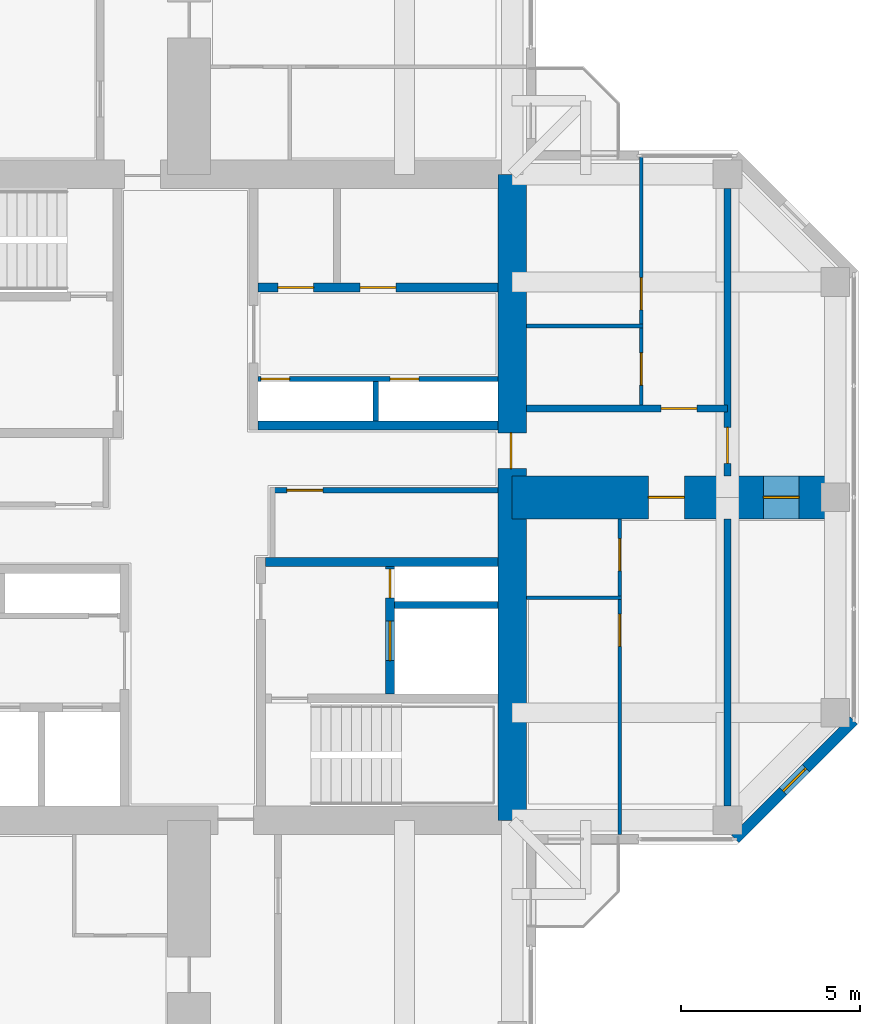
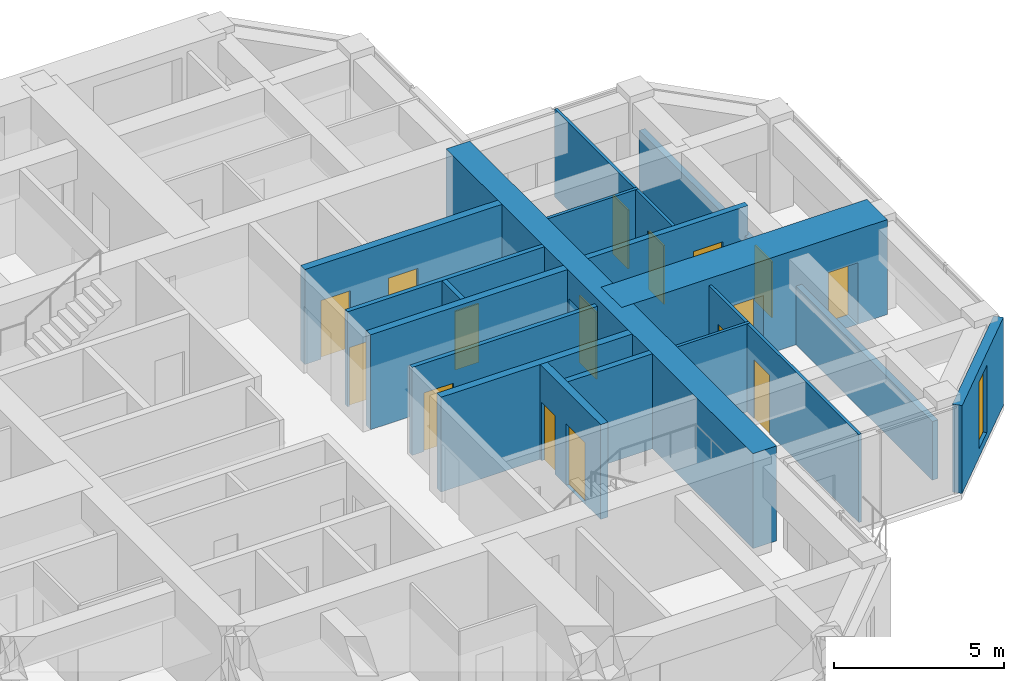
# One storey, part 11 of 13: 18 walls, 16 doors, 1 window, 17 openings.
"""IFC4 building model written with IfcOpenShell, lengths in metres."""

from ifc_helpers import new_model, si_unit, direction, frame, frame_2d, origin, place, context, subcontext, project, spatial, rectangle, hollow_rectangle, extrude, material, layer, layer_set, constituent, constituent_set, type_object, element, fill, save


model = new_model("IFC4")

# Units and contexts
model_context = context("Model", 3, precision=1e-05, world=origin(), true_north=direction((0.0, 1.0)))
body_context = subcontext(model_context, "Body", "Model", "MODEL_VIEW")
ifc_project = project(units=[si_unit("LENGTHUNIT", "METRE"), si_unit("AREAUNIT", "SQUARE_METRE"), si_unit("VOLUMEUNIT", "CUBIC_METRE"), si_unit("PLANEANGLEUNIT", "RADIAN"), si_unit("MASSUNIT", "GRAM", prefix="KILO")], contexts=[model_context])

# Site, building, storey
site_placement = place(None, origin())
site = spatial("IfcSite", under=ifc_project, at=site_placement, CompositionType="ELEMENT")
building_placement = place(site_placement, origin())
building = spatial("IfcBuilding", under=site, at=building_placement, Name="Torre Cruceta", CompositionType="ELEMENT")
storey_placement = place(building_placement, frame((0.0, 0.0, 249.300048828125)))
storey = spatial("IfcBuildingStorey", under=building, at=storey_placement, Name="L64", CompositionType="ELEMENT", Elevation=249.300048828125)

# Wall
ifc_material_1 = material(Name="Water-resistant plasterboard on steel studs", Category="steel")
ifc_layer_1 = layer(ifc_material_1, 0.10009765625)
ifc_layer_set_1 = layer_set([ifc_layer_1], Name="Water-resistant plasterboard on steel studs")
wall_type_1 = type_object("IfcWallType", Name="BATHROOM WALL 100", PredefinedType="PARTITIONING", material=ifc_layer_set_1)
wall_1_placement = place(storey_placement, frame((9.39990234375, 4.77490234375, 0.0), z_axis=(0.0, 0.0, 1.0), x_axis=(1.0, 0.0, 0.0)))
element("IfcWall", 1, at=wall_1_placement, inside=storey, type_object=wall_type_1, Name="PT4 L64-E-U1LBB", PredefinedType="PARTITIONING", context=body_context, shape_type="SweptSolid", body=[
    extrude(rectangle(XDim=3.25, YDim=0.10009765625, at=frame_2d((1.625, 0.0))), origin(), (0.0, 0.0, 1.0), 3.14990234375),
])

# Wall, openings, doors
wall_2_placement = place(storey_placement, frame((12.60009765625, 2.574951171875, 0.0), z_axis=(0.0, 0.0, 1.0), x_axis=(0.0, 1.0, 0.0)))
wall_2 = element("IfcWall", 2, at=wall_2_placement, inside=storey, type_object=wall_type_1, Name="PT4 L64-E-U1LBS", PredefinedType="PARTITIONING", context=body_context, shape_type="SweptSolid", body=[
    extrude(rectangle(XDim=6.905029296875, YDim=0.10009765625, at=frame_2d((3.45263671875, 0.0))), origin(), (0.0, 0.0, 1.0), 3.14990234375),
])
opening_1_placement = place(wall_2_placement, frame((0.550048828125, 0.0, 0.0)))
opening_1 = element("IfcOpeningElement", 3, at=opening_1_placement, cuts=wall_2, Name="Opening D7", PredefinedType="OPENING", context=body_context, shape_type="SweptSolid", body=[
    extrude(rectangle(XDim=0.89990234375, YDim=2.10009765625, at=frame_2d((0.449951171875, 1.050048828125))), frame((0.0, 0.06005859375, 0.0), z_axis=(0.0, -1.0, 0.0), x_axis=(1.0, 0.0, 0.0)), (0.0, 0.0, 1.0), 0.1201171875),
])
opening_2_placement = place(wall_2_placement, frame((2.64990234375, 0.0, 0.0)))
opening_2 = element("IfcOpeningElement", 4, at=opening_2_placement, cuts=wall_2, Name="Opening D7", PredefinedType="OPENING", context=body_context, shape_type="SweptSolid", body=[
    extrude(rectangle(XDim=0.89990234375, YDim=2.10009765625, at=frame_2d((0.449951171875, 1.050048828125))), frame((0.0, 0.06005859375, 0.0), z_axis=(0.0, -1.0, 0.0), x_axis=(1.0, 0.0, 0.0)), (0.0, 0.0, 1.0), 0.1201171875),
])
ifc_material_2 = material(Name="Timber door", Category="wood")
door_type_1 = type_object("IfcDoorType", Name="BATHROOM DOOR 900X2100", OperationType="SINGLE_SWING_LEFT", PredefinedType="DOOR", material=ifc_material_2)
door_1_placement = place(opening_1_placement, origin())
door_1 = element("IfcDoor", 5, at=door_1_placement, inside=storey, type_object=door_type_1, Name="D7 L64-E-U1LBS-D1", OperationType="SINGLE_SWING_LEFT", OverallHeight=2.10009765625, OverallWidth=0.89990234375, PredefinedType="DOOR", context=body_context, shape_type="SweptSolid", body=[
    extrude(rectangle(XDim=0.89990234375, YDim=2.10009765625, at=frame_2d((0.449951171875, 1.050048828125))), frame((0.0, 0.02490234375, 0.0), z_axis=(0.0, -1.0, 0.0), x_axis=(1.0, 0.0, 0.0)), (0.0, 0.0, 1.0), 0.050048828125),
])
fill(opening_1, door_1)
door_2_placement = place(opening_2_placement, origin())
door_2 = element("IfcDoor", 6, at=door_2_placement, inside=storey, type_object=door_type_1, Name="D7 L64-E-U1LBS-D2", OperationType="SINGLE_SWING_LEFT", OverallHeight=2.10009765625, OverallWidth=0.89990234375, PredefinedType="DOOR", context=body_context, shape_type="SweptSolid", body=[
    extrude(rectangle(XDim=0.89990234375, YDim=2.10009765625, at=frame_2d((0.449951171875, 1.050048828125))), frame((0.0, 0.02490234375, 0.0), z_axis=(0.0, -1.0, 0.0), x_axis=(1.0, 0.0, 0.0)), (0.0, 0.0, 1.0), 0.050048828125),
])
fill(opening_2, door_2)

# Wall
wall_3_placement = place(storey_placement, frame((9.39990234375, -2.800048828125, 0.0), z_axis=(0.0, 0.0, 1.0), x_axis=(1.0, 0.0, 0.0)))
element("IfcWall", 7, at=wall_3_placement, inside=storey, type_object=wall_type_1, Name="PT4 L64-E-U1RBB", PredefinedType="PARTITIONING", context=body_context, shape_type="SweptSolid", body=[
    extrude(rectangle(XDim=2.650146484375, YDim=0.10009765625, at=frame_2d((1.3251953125, 0.0))), origin(), (0.0, 0.0, 1.0), 3.14990234375),
])

# Wall, openings, doors
wall_4_placement = place(storey_placement, frame((12.0, -9.39501953125, 0.0), z_axis=(0.0, 0.0, 1.0), x_axis=(0.0, 1.0, 0.0)))
wall_4 = element("IfcWall", 8, at=wall_4_placement, inside=storey, type_object=wall_type_1, Name="PT4 L64-E-U1RBS", PredefinedType="PARTITIONING", context=body_context, shape_type="SweptSolid", body=[
    extrude(rectangle(XDim=8.794921875, YDim=0.10009765625, at=frame_2d((4.3974609375, 0.0))), origin(), (0.0, 0.0, 1.0), 3.14990234375),
])
opening_3_placement = place(wall_4_placement, frame((5.2451171875, 0.0, 0.0)))
opening_3 = element("IfcOpeningElement", 9, at=opening_3_placement, cuts=wall_4, Name="Opening D7", PredefinedType="OPENING", context=body_context, shape_type="SweptSolid", body=[
    extrude(rectangle(XDim=0.89990234375, YDim=2.10009765625, at=frame_2d((0.449951171875, 1.050048828125))), frame((0.0, 0.06005859375, 0.0), z_axis=(0.0, -1.0, 0.0), x_axis=(1.0, 0.0, 0.0)), (0.0, 0.0, 1.0), 0.1201171875),
])
opening_4_placement = place(wall_4_placement, frame((7.344970703125, 0.0, 0.0)))
opening_4 = element("IfcOpeningElement", 10, at=opening_4_placement, cuts=wall_4, Name="Opening D7", PredefinedType="OPENING", context=body_context, shape_type="SweptSolid", body=[
    extrude(rectangle(XDim=0.89990234375, YDim=2.10009765625, at=frame_2d((0.449951171875, 1.050048828125))), frame((0.0, 0.06005859375, 0.0), z_axis=(0.0, -1.0, 0.0), x_axis=(1.0, 0.0, 0.0)), (0.0, 0.0, 1.0), 0.1201171875),
])
door_3_placement = place(opening_3_placement, origin())
door_3 = element("IfcDoor", 11, at=door_3_placement, inside=storey, type_object=door_type_1, Name="D7 L64-E-U1RBS-D1", OperationType="SINGLE_SWING_RIGHT", OverallHeight=2.10009765625, OverallWidth=0.89990234375, PredefinedType="DOOR", context=body_context, shape_type="SweptSolid", body=[
    extrude(rectangle(XDim=0.89990234375, YDim=2.10009765625, at=frame_2d((0.449951171875, 1.050048828125))), frame((0.0, 0.02490234375, 0.0), z_axis=(0.0, -1.0, 0.0), x_axis=(1.0, 0.0, 0.0)), (0.0, 0.0, 1.0), 0.050048828125),
])
fill(opening_3, door_3)
door_4_placement = place(opening_4_placement, origin())
door_4 = element("IfcDoor", 12, at=door_4_placement, inside=storey, type_object=door_type_1, Name="D7 L64-E-U1RBS-D2", OperationType="SINGLE_SWING_RIGHT", OverallHeight=2.10009765625, OverallWidth=0.89990234375, PredefinedType="DOOR", context=body_context, shape_type="SweptSolid", body=[
    extrude(rectangle(XDim=0.89990234375, YDim=2.10009765625, at=frame_2d((0.449951171875, 1.050048828125))), frame((0.0, 0.02490234375, 0.0), z_axis=(0.0, -1.0, 0.0), x_axis=(1.0, 0.0, 0.0)), (0.0, 0.0, 1.0), 0.050048828125),
])
fill(opening_4, door_4)

# Wall
ifc_material_3 = material(Name="Concrete G60 (fck 60 MPa)", Category="concrete")
ifc_layer_2 = layer(ifc_material_3, 0.25)
ifc_layer_set_2 = layer_set([ifc_layer_2], Name="Concrete G60 (fck 60 MPa)")
wall_type_2 = type_object("IfcWallType", Name="CORE INNER WALL 250 G60", PredefinedType="SHEAR", material=ifc_layer_set_2)
wall_5_placement = place(storey_placement, frame((1.925048828125, 2.0, 0.0), z_axis=(0.0, 0.0, 1.0), x_axis=(1.0, 0.0, 0.0)))
element("IfcWall", 13, at=wall_5_placement, inside=storey, type_object=wall_type_2, Name="CW4 L64 NE-CV", PredefinedType="SHEAR", context=body_context, shape_type="SweptSolid", body=[
    extrude(rectangle(XDim=6.675048828125, YDim=0.25, at=frame_2d((3.33740234375, 0.0))), origin(), (0.0, 0.0, 1.0), 3.39990234375),
])

# Wall, openings, doors
wall_6_placement = place(storey_placement, frame((1.925048828125, 5.85009765625, 0.0), z_axis=(0.0, 0.0, 1.0), x_axis=(1.0, 0.0, 0.0)))
wall_6 = element("IfcWall", 14, at=wall_6_placement, inside=storey, type_object=wall_type_2, Name="CW4 L64 NE-LV", PredefinedType="SHEAR", context=body_context, shape_type="SweptSolid", body=[
    extrude(rectangle(XDim=6.675048828125, YDim=0.25, at=frame_2d((3.33740234375, 0.0))), origin(), (0.0, 0.0, 1.0), 3.39990234375),
])
opening_5_placement = place(wall_6_placement, frame((0.5458984375, 0.0, 0.0)))
opening_5 = element("IfcOpeningElement", 15, at=opening_5_placement, cuts=wall_6, Name="Opening D3", PredefinedType="OPENING", context=body_context, shape_type="SweptSolid", body=[
    extrude(rectangle(XDim=1.0, YDim=2.10009765625, at=frame_2d((0.5, 1.050048828125))), frame((0.0, 0.135009765625, 0.0), z_axis=(0.0, -1.0, 0.0), x_axis=(1.0, 0.0, 0.0)), (0.0, 0.0, 1.0), 0.27001953125),
])
opening_6_placement = place(wall_6_placement, frame((2.83740234375, 0.0, 0.0)))
opening_6 = element("IfcOpeningElement", 16, at=opening_6_placement, cuts=wall_6, Name="Opening D3", PredefinedType="OPENING", context=body_context, shape_type="SweptSolid", body=[
    extrude(rectangle(XDim=1.0, YDim=2.10009765625, at=frame_2d((0.5, 1.050048828125))), frame((0.0, 0.135009765625, 0.0), z_axis=(0.0, -1.0, 0.0), x_axis=(1.0, 0.0, 0.0)), (0.0, 0.0, 1.0), 0.27001953125),
])
ifc_material_4 = material(Name="Steel DX51D", Category="steel")
ifc_constituent_1 = constituent(ifc_material_4, Name="Leaf and frame")
ifc_material_5 = material(Name="Polyester powder coating", Category="paint")
ifc_constituent_2 = constituent(ifc_material_5, Name="Finish")
ifc_constituent_set_1 = constituent_set(constituents=[ifc_constituent_1, ifc_constituent_2], Name="Steel fire door")
door_type_2 = type_object("IfcDoorType", Name="FIRE DOOR 1000X2100", OperationType="SINGLE_SWING_LEFT", PredefinedType="DOOR", material=ifc_constituent_set_1)
door_5_placement = place(opening_5_placement, origin())
door_5 = element("IfcDoor", 17, at=door_5_placement, inside=storey, type_object=door_type_2, Name="D3 L64 NE-HR1", OperationType="SINGLE_SWING_LEFT", OverallHeight=2.10009765625, OverallWidth=1.0, PredefinedType="DOOR", context=body_context, shape_type="SweptSolid", body=[
    extrude(rectangle(XDim=1.0, YDim=2.10009765625, at=frame_2d((0.5, 1.050048828125))), frame((0.0, 0.02490234375, 0.0), z_axis=(0.0, -1.0, 0.0), x_axis=(1.0, 0.0, 0.0)), (0.0, 0.0, 1.0), 0.050048828125),
])
fill(opening_5, door_5)
door_6_placement = place(opening_6_placement, origin())
door_6 = element("IfcDoor", 18, at=door_6_placement, inside=storey, type_object=door_type_2, Name="D3 L64 NE-HR2", OperationType="SINGLE_SWING_LEFT", OverallHeight=2.10009765625, OverallWidth=1.0, PredefinedType="DOOR", context=body_context, shape_type="SweptSolid", body=[
    extrude(rectangle(XDim=1.0, YDim=2.10009765625, at=frame_2d((0.5, 1.050048828125))), frame((0.0, 0.02490234375, 0.0), z_axis=(0.0, -1.0, 0.0), x_axis=(1.0, 0.0, 0.0)), (0.0, 0.0, 1.0), 0.050048828125),
])
fill(opening_6, door_6)

# Wall
wall_7_placement = place(storey_placement, frame((2.125, -1.800048828125, 0.0), z_axis=(0.0, 0.0, 1.0), x_axis=(1.0, 0.0, 0.0)))
element("IfcWall", 19, at=wall_7_placement, inside=storey, type_object=wall_type_2, Name="CW4 L64 SE-CV", PredefinedType="SHEAR", context=body_context, shape_type="SweptSolid", body=[
    extrude(rectangle(XDim=6.47509765625, YDim=0.25, at=frame_2d((3.237548828125, 0.0))), origin(), (0.0, 0.0, 1.0), 3.39990234375),
])

# Wall, openings, doors
wall_8_placement = place(storey_placement, frame((5.60009765625, -1.925048828125, 0.0), z_axis=(0.0, 0.0, 1.0), x_axis=(0.0, -1.0, 0.0)))
wall_8 = element("IfcWall", 20, at=wall_8_placement, inside=storey, type_object=wall_type_2, Name="CW4 L64 SE-FU", PredefinedType="SHEAR", context=body_context, shape_type="SweptSolid", body=[
    extrude(rectangle(XDim=3.550048828125, YDim=0.25, at=frame_2d((1.77490234375, 0.0))), origin(), (0.0, 0.0, 1.0), 3.39990234375),
])
opening_7_placement = place(wall_8_placement, frame((1.52490234375, 0.0, 0.0)))
opening_7 = element("IfcOpeningElement", 21, at=opening_7_placement, cuts=wall_8, Name="Opening LD1", PredefinedType="OPENING", context=body_context, shape_type="SweptSolid", body=[
    extrude(rectangle(XDim=1.10009765625, YDim=2.199951171875, at=frame_2d((0.550048828125, 1.10009765625))), frame((0.0, 0.135009765625, 0.0), z_axis=(0.0, -1.0, 0.0), x_axis=(1.0, 0.0, 0.0)), (0.0, 0.0, 1.0), 0.27001953125),
])
opening_8_placement = place(wall_8_placement, frame((0.074951171875, 0.0, 0.0)))
opening_8 = element("IfcOpeningElement", 22, at=opening_8_placement, cuts=wall_8, Name="Opening D5", PredefinedType="OPENING", context=body_context, shape_type="SweptSolid", body=[
    extrude(rectangle(XDim=0.800048828125, YDim=2.10009765625, at=frame_2d((0.39990234375, 1.050048828125))), frame((0.0, 0.135009765625, 0.0), z_axis=(0.0, -1.0, 0.0), x_axis=(1.0, 0.0, 0.0)), (0.0, 0.0, 1.0), 0.27001953125),
])
ifc_material_6 = material(Name="Stainless steel 1.4401", Category="steel")
door_type_3 = type_object("IfcDoorType", Name="LIFT LANDING DOOR 1100X2200", OperationType="DOUBLE_DOOR_SLIDING", PredefinedType="DOOR", material=ifc_material_6)
door_7_placement = place(opening_7_placement, origin())
door_7 = element("IfcDoor", 23, at=door_7_placement, inside=storey, type_object=door_type_3, Name="Lift landing door FL2", OperationType="DOUBLE_DOOR_SLIDING", OverallHeight=2.199951171875, OverallWidth=1.10009765625, PredefinedType="DOOR", context=body_context, shape_type="SweptSolid", body=[
    extrude(rectangle(XDim=1.10009765625, YDim=2.199951171875, at=frame_2d((0.550048828125, 1.10009765625))), frame((0.0, 0.02490234375, 0.0), z_axis=(0.0, -1.0, 0.0), x_axis=(1.0, 0.0, 0.0)), (0.0, 0.0, 1.0), 0.050048828125),
])
fill(opening_7, door_7)
ifc_material_7 = material(Name="Steel DX51D", Category="steel")
ifc_constituent_3 = constituent(ifc_material_7, Name="Leaf and frame")
ifc_material_8 = material(Name="Polyester powder coating", Category="paint")
ifc_constituent_4 = constituent(ifc_material_8, Name="Finish")
ifc_constituent_set_2 = constituent_set(constituents=[ifc_constituent_3, ifc_constituent_4], Name="Steel fire door")
door_type_4 = type_object("IfcDoorType", Name="RISER ACCESS DOOR 800X2100", OperationType="SINGLE_SWING_LEFT", PredefinedType="DOOR", material=ifc_constituent_set_2)
door_8_placement = place(opening_8_placement, origin())
door_8 = element("IfcDoor", 24, at=door_8_placement, inside=storey, type_object=door_type_4, Name="D5 L64 SE-RISER", OperationType="SINGLE_SWING_LEFT", OverallHeight=2.10009765625, OverallWidth=0.800048828125, PredefinedType="DOOR", context=body_context, shape_type="SweptSolid", body=[
    extrude(rectangle(XDim=0.800048828125, YDim=2.10009765625, at=frame_2d((0.39990234375, 1.050048828125))), frame((0.0, 0.02490234375, 0.0), z_axis=(0.0, -1.0, 0.0), x_axis=(1.0, 0.0, 0.0)), (0.0, 0.0, 1.0), 0.050048828125),
])
fill(opening_8, door_8)

# Wall, opening, door
ifc_material_9 = material(Name="Concrete G60 (fck 60 MPa)", Category="concrete")
ifc_layer_3 = layer(ifc_material_9, 0.800048828125)
ifc_layer_set_3 = layer_set([ifc_layer_3], Name="Concrete G60 (fck 60 MPa)")
wall_type_3 = type_object("IfcWallType", Name="CORE WALL 800 G60", PredefinedType="SHEAR", material=ifc_layer_set_3)
wall_9_placement = place(storey_placement, frame((9.0, -9.0, 0.0), z_axis=(0.0, 0.0, 1.0), x_axis=(0.0, 1.0, 0.0)))
wall_9 = element("IfcWall", 25, at=wall_9_placement, inside=storey, type_object=wall_type_3, Name="CW3 L64 CW-E", PredefinedType="SHEAR", context=body_context, shape_type="SweptSolid", body=[
    extrude(rectangle(XDim=18.0, YDim=0.800048828125, at=frame_2d((9.0, 0.0))), origin(), (0.0, 0.0, 1.0), 3.39990234375),
])
opening_9_placement = place(wall_9_placement, frame((9.800048828125, 0.0, 0.0)))
opening_9 = element("IfcOpeningElement", 26, at=opening_9_placement, cuts=wall_9, Name="Opening D4", PredefinedType="OPENING", context=body_context, shape_type="SweptSolid", body=[
    extrude(rectangle(XDim=1.0, YDim=2.39990234375, at=frame_2d((0.5, 1.199951171875))), frame((0.0, 0.409912109375, 0.0), z_axis=(0.0, -1.0, 0.0), x_axis=(1.0, 0.0, 0.0)), (0.0, 0.0, 1.0), 0.820068359375),
])
ifc_material_10 = material(Name="Steel DX51D", Category="steel")
ifc_constituent_5 = constituent(ifc_material_10, Name="Leaf and frame")
ifc_material_11 = material(Name="Polyester powder coating", Category="paint")
ifc_constituent_6 = constituent(ifc_material_11, Name="Finish")
ifc_constituent_set_3 = constituent_set(constituents=[ifc_constituent_5, ifc_constituent_6], Name="Steel fire door")
door_type_5 = type_object("IfcDoorType", Name="CORE ARM DOOR 1000X2400", OperationType="SINGLE_SWING_RIGHT", PredefinedType="DOOR", material=ifc_constituent_set_3)
door_9_placement = place(opening_9_placement, origin())
door_9 = element("IfcDoor", 27, at=door_9_placement, inside=storey, type_object=door_type_5, Name="D4 L64 CW-E", OperationType="SINGLE_SWING_RIGHT", OverallHeight=2.39990234375, OverallWidth=1.0, PredefinedType="DOOR", context=body_context, shape_type="SweptSolid", body=[
    extrude(rectangle(XDim=1.0, YDim=2.39990234375, at=frame_2d((0.5, 1.199951171875))), frame((0.0, 0.05517578125, 0.0), z_axis=(0.0, -1.0, 0.0), x_axis=(1.0, 0.0, 0.0)), (0.0, 0.0, 1.0), 0.050048828125),
])
fill(opening_9, door_9)

ifc_material_12 = material(Name="Concrete G25 (fck 25 MPa)", Category="concrete")
ifc_layer_4 = layer(ifc_material_12, 0.199951171875)
ifc_layer_set_4 = layer_set([ifc_layer_4], Name="Concrete G25 (fck 25 MPa)")
wall_type_4 = type_object("IfcWallType", Name="CORRIDOR WALL 200", PredefinedType="SOLIDWALL", material=ifc_layer_set_4)
wall_10_placement = place(storey_placement, frame((9.39990234375, 2.47509765625, 0.0), z_axis=(0.0, 0.0, 1.0), x_axis=(1.0, 0.0, 0.0)))
wall_10 = element("IfcWall", 28, at=wall_10_placement, inside=storey, type_object=wall_type_4, Name="PT3 L64-E-CL", PredefinedType="SOLIDWALL", context=body_context, shape_type="SweptSolid", body=[
    extrude(rectangle(XDim=5.60009765625, YDim=0.199951171875, at=frame_2d((2.800048828125, 0.0))), origin(), (0.0, 0.0, 1.0), 3.14990234375),
])
opening_10_placement = place(wall_10_placement, frame((3.75, 0.0, 0.0)))
opening_10 = element("IfcOpeningElement", 29, at=opening_10_placement, cuts=wall_10, Name="Opening D6", PredefinedType="OPENING", context=body_context, shape_type="SweptSolid", body=[
    extrude(rectangle(XDim=1.0, YDim=2.14990234375, at=frame_2d((0.5, 1.074951171875))), frame((0.0, 0.10986328125, 0.0), z_axis=(0.0, -1.0, 0.0), x_axis=(1.0, 0.0, 0.0)), (0.0, 0.0, 1.0), 0.219970703125),
])
ifc_material_13 = material(Name="Timber fire door", Category="wood")
door_type_6 = type_object("IfcDoorType", Name="UNIT ENTRANCE DOOR 1000X2150", OperationType="SINGLE_SWING_LEFT", PredefinedType="DOOR", material=ifc_material_13)
door_10_placement = place(opening_10_placement, origin())
door_10 = element("IfcDoor", 30, at=door_10_placement, inside=storey, type_object=door_type_6, Name="D6 L64-E-CL-D1", OperationType="SINGLE_SWING_LEFT", OverallHeight=2.14990234375, OverallWidth=1.0, PredefinedType="DOOR", context=body_context, shape_type="SweptSolid", body=[
    extrude(rectangle(XDim=1.0, YDim=2.14990234375, at=frame_2d((0.5, 1.074951171875))), frame((0.0, 0.02490234375, 0.0), z_axis=(0.0, -1.0, 0.0), x_axis=(1.0, 0.0, 0.0)), (0.0, 0.0, 1.0), 0.050048828125),
])
fill(opening_10, door_10)

# Wall, opening, window
ifc_material_14 = material(Name="Concrete G30 (fck 30 MPa)", Category="concrete")
ifc_layer_5 = layer(ifc_material_14, 0.300048828125)
ifc_layer_set_5 = layer_set([ifc_layer_5], Name="Concrete G30 (fck 30 MPa)")
wall_type_5 = type_object("IfcWallType", Name="EXPOSED CONCRETE FACADE WALL 300", PredefinedType="SOLIDWALL", material=ifc_layer_set_5)
wall_11_placement = place(storey_placement, frame((15.21533203125, -9.52001953125, 0.0), z_axis=(0.0, 0.0, 1.0), x_axis=(0.707106781187, 0.707106781187, 0.0)))
wall_11 = element("IfcWall", 31, at=wall_11_placement, inside=storey, type_object=wall_type_5, Name="EW1 facade wall L64 E chamfer 01", PredefinedType="SOLIDWALL", context=body_context, shape_type="SweptSolid", body=[
    extrude(rectangle(XDim=4.673583984375, YDim=0.300048828125, at=frame_2d((2.3369140625, 0.0))), origin(), (0.0, 0.0, 1.0), 3.14990234375),
])
opening_11_placement = place(wall_11_placement, frame((1.88671875, 0.0, 0.300048828125)))
opening_11 = element("IfcOpeningElement", 32, at=opening_11_placement, cuts=wall_11, Name="Opening WN5", PredefinedType="OPENING", context=body_context, shape_type="SweptSolid", body=[
    extrude(rectangle(XDim=0.89990234375, YDim=2.39990234375, at=frame_2d((0.449951171875, 1.199951171875))), frame((0.0, 0.159912109375, 0.0), z_axis=(0.0, -1.0, 0.0), x_axis=(1.0, 0.0, 0.0)), (0.0, 0.0, 1.0), 0.320068359375),
])
ifc_material_15 = material(Name="Aluminium window frame", Category="aluminium")
ifc_constituent_7 = constituent(ifc_material_15, Name="Frame")
ifc_material_16 = material(Name="Laminated insulating glass unit, low-iron clear", Category="glass")
ifc_constituent_8 = constituent(ifc_material_16, Name="Glazing")
ifc_constituent_set_4 = constituent_set(constituents=[ifc_constituent_7, ifc_constituent_8], Name="Aluminium window")
window_type = type_object("IfcWindowType", Name="CHAMFER SLOT WINDOW 900X2400", PartitioningType="SINGLE_PANEL", PredefinedType="WINDOW", material=ifc_constituent_set_4)
window_placement = place(opening_11_placement, origin())
window = element("IfcWindow", 33, at=window_placement, inside=storey, type_object=window_type, Name="WN5 L64 E 1", OverallHeight=2.39990234375, OverallWidth=0.89990234375, PartitioningType="SINGLE_PANEL", PredefinedType="WINDOW", context=body_context, shape_type="SweptSolid", body=[
    extrude(hollow_rectangle(XDim=0.89990234375, YDim=2.39990234375, WallThickness=0.06005859375, at=frame_2d((0.449951171875, 1.199951171875))), frame((0.0, 0.030029296875, 0.0), z_axis=(0.0, -1.0, 0.0), x_axis=(1.0, 0.0, 0.0)), (0.0, 0.0, 1.0), 0.06005859375),
    extrude(rectangle(XDim=0.77880859375, YDim=2.27880859375, at=frame_2d((0.449951171875, 1.199951171875))), frame((0.0, 0.030029296875, 0.0), z_axis=(0.0, -1.0, 0.0), x_axis=(1.0, 0.0, 0.0)), (0.0, 0.0, 1.0), 0.06005859375),
])
fill(opening_11, window)

# Wall
ifc_material_17 = material(Name="Concrete G35 (fck 35 MPa)", Category="concrete")
ifc_layer_6 = layer(ifc_material_17, 0.199951171875)
ifc_layer_set_6 = layer_set([ifc_layer_6], Name="Concrete G35 (fck 35 MPa)")
wall_type_6 = type_object("IfcWallType", Name="LIFT SHAFT WALL 200", PredefinedType="PARTITIONING", material=ifc_layer_set_6)
wall_12_placement = place(storey_placement, frame((5.72509765625, -3.0, 0.0), z_axis=(0.0, 0.0, 1.0), x_axis=(1.0, 0.0, 0.0)))
element("IfcWall", 34, at=wall_12_placement, inside=storey, type_object=wall_type_6, Name="SW1 L64 SE-FR", PredefinedType="PARTITIONING", context=body_context, shape_type="SweptSolid", body=[
    extrude(rectangle(XDim=2.875, YDim=0.199951171875, at=frame_2d((1.4375, 0.0))), origin(), (0.0, 0.0, 1.0), 3.39990234375),
])

# Wall, opening, door
ifc_material_18 = material(Name="Plasterboard on steel studs", Category="steel")
ifc_layer_7 = layer(ifc_material_18, 0.14990234375)
ifc_layer_set_7 = layer_set([ifc_layer_7], Name="Plasterboard on steel studs")
wall_type_7 = type_object("IfcWallType", Name="PARTITION 150", PredefinedType="PARTITIONING", material=ifc_layer_set_7)
wall_13_placement = place(storey_placement, frame((2.324951171875, 0.199951171875, 0.0), z_axis=(0.0, 0.0, 1.0), x_axis=(1.0, 0.0, 0.0)))
wall_13 = element("IfcWall", 35, at=wall_13_placement, inside=storey, type_object=wall_type_7, Name="PT1 L64-CORE-LEGE-S-W1", PredefinedType="PARTITIONING", context=body_context, shape_type="SweptSolid", body=[
    extrude(rectangle(XDim=6.275146484375, YDim=0.14990234375, at=frame_2d((3.1376953125, 0.0))), origin(), (0.0, 0.0, 1.0), 3.14990234375),
])
opening_12_placement = place(wall_13_placement, frame((0.39990234375, 0.0, 0.0)))
opening_12 = element("IfcOpeningElement", 36, at=opening_12_placement, cuts=wall_13, Name="Opening D3", PredefinedType="OPENING", context=body_context, shape_type="SweptSolid", body=[
    extrude(rectangle(XDim=1.0, YDim=2.10009765625, at=frame_2d((0.5, 1.050048828125))), frame((0.0, 0.0849609375, 0.0), z_axis=(0.0, -1.0, 0.0), x_axis=(1.0, 0.0, 0.0)), (0.0, 0.0, 1.0), 0.169921875),
])
door_11_placement = place(opening_12_placement, frame((1.0, 0.0, 0.0), z_axis=(0.0, 0.0, 1.0), x_axis=(-1.0, 0.0, 0.0)))
door_11 = element("IfcDoor", 37, at=door_11_placement, inside=storey, type_object=door_type_2, Name="D3 L64-CORE-LEGE-S-W1-D1", OperationType="SINGLE_SWING_RIGHT", OverallHeight=2.10009765625, OverallWidth=1.0, PredefinedType="DOOR", context=body_context, shape_type="SweptSolid", body=[
    extrude(rectangle(XDim=1.0, YDim=2.10009765625, at=frame_2d((0.5, 1.050048828125))), frame((0.0, 0.025146484375, 0.0), z_axis=(0.0, -1.0, 0.0), x_axis=(1.0, 0.0, 0.0)), (0.0, 0.0, 1.0), 0.050048828125),
])
fill(opening_12, door_11)

# Wall, openings, doors
ifc_material_19 = material(Name="Concrete block masonry", Category="masonry")
ifc_layer_8 = layer(ifc_material_19, 0.14990234375)
ifc_layer_set_8 = layer_set([ifc_layer_8], Name="Concrete block masonry")
wall_type_8 = type_object("IfcWallType", Name="RISER WALL 150", PredefinedType="PARTITIONING", material=ifc_layer_set_8)
wall_14_placement = place(storey_placement, frame((1.925048828125, 3.300048828125, 0.0), z_axis=(0.0, 0.0, 1.0), x_axis=(1.0, 0.0, 0.0)))
wall_14 = element("IfcWall", 38, at=wall_14_placement, inside=storey, type_object=wall_type_8, Name="SW7 L64 NE-RV", PredefinedType="PARTITIONING", context=body_context, shape_type="SweptSolid", body=[
    extrude(rectangle(XDim=6.675048828125, YDim=0.14990234375, at=frame_2d((3.33740234375, 0.0))), origin(), (0.0, 0.0, 1.0), 3.39990234375),
])
opening_13_placement = place(wall_14_placement, frame((0.074951171875, 0.0, 0.0)))
opening_13 = element("IfcOpeningElement", 39, at=opening_13_placement, cuts=wall_14, Name="Opening D5", PredefinedType="OPENING", context=body_context, shape_type="SweptSolid", body=[
    extrude(rectangle(XDim=0.800048828125, YDim=2.10009765625, at=frame_2d((0.39990234375, 1.050048828125))), frame((0.0, 0.0849609375, 0.0), z_axis=(0.0, -1.0, 0.0), x_axis=(1.0, 0.0, 0.0)), (0.0, 0.0, 1.0), 0.169921875),
])
opening_14_placement = place(wall_14_placement, frame((3.675048828125, 0.0, 0.0)))
opening_14 = element("IfcOpeningElement", 40, at=opening_14_placement, cuts=wall_14, Name="Opening D5", PredefinedType="OPENING", context=body_context, shape_type="SweptSolid", body=[
    extrude(rectangle(XDim=0.800048828125, YDim=2.10009765625, at=frame_2d((0.39990234375, 1.050048828125))), frame((0.0, 0.0849609375, 0.0), z_axis=(0.0, -1.0, 0.0), x_axis=(1.0, 0.0, 0.0)), (0.0, 0.0, 1.0), 0.169921875),
])
door_12_placement = place(opening_13_placement, frame((0.800048828125, 0.0, 0.0), z_axis=(0.0, 0.0, 1.0), x_axis=(-1.0, 0.0, 0.0)))
door_12 = element("IfcDoor", 41, at=door_12_placement, inside=storey, type_object=door_type_4, Name="D5 L64 NE-RISER1", OperationType="SINGLE_SWING_RIGHT", OverallHeight=2.10009765625, OverallWidth=0.800048828125, PredefinedType="DOOR", context=body_context, shape_type="SweptSolid", body=[
    extrude(rectangle(XDim=0.800048828125, YDim=2.10009765625, at=frame_2d((0.400146484375, 1.050048828125))), frame((0.0, 0.025146484375, 0.0), z_axis=(0.0, -1.0, 0.0), x_axis=(1.0, 0.0, 0.0)), (0.0, 0.0, 1.0), 0.050048828125),
])
fill(opening_13, door_12)
door_13_placement = place(opening_14_placement, frame((0.800048828125, 0.0, 0.0), z_axis=(0.0, 0.0, 1.0), x_axis=(-1.0, 0.0, 0.0)))
door_13 = element("IfcDoor", 42, at=door_13_placement, inside=storey, type_object=door_type_4, Name="D5 L64 NE-RISER2", OperationType="SINGLE_SWING_RIGHT", OverallHeight=2.10009765625, OverallWidth=0.800048828125, PredefinedType="DOOR", context=body_context, shape_type="SweptSolid", body=[
    extrude(rectangle(XDim=0.800048828125, YDim=2.10009765625, at=frame_2d((0.400146484375, 1.050048828125))), frame((0.0, 0.025146484375, 0.0), z_axis=(0.0, -1.0, 0.0), x_axis=(1.0, 0.0, 0.0)), (0.0, 0.0, 1.0), 0.050048828125),
])
fill(opening_14, door_13)

# Wall
wall_15_placement = place(storey_placement, frame((5.199951171875, 2.125, 0.0), z_axis=(0.0, 0.0, 1.0), x_axis=(0.0, 1.0, 0.0)))
element("IfcWall", 43, at=wall_15_placement, inside=storey, type_object=wall_type_8, Name="SW7 L64 NE-RU", PredefinedType="PARTITIONING", context=body_context, shape_type="SweptSolid", body=[
    extrude(rectangle(XDim=1.10009765625, YDim=0.14990234375, at=frame_2d((0.550048828125, 0.0))), origin(), (0.0, 0.0, 1.0), 3.39990234375),
])

# Wall, openings, doors
ifc_material_20 = material(Name="Concrete G60 (fck 60 MPa)", Category="concrete")
ifc_layer_9 = layer(ifc_material_20, 1.199951171875)
ifc_layer_set_9 = layer_set([ifc_layer_9], Name="Concrete G60 (fck 60 MPa)")
wall_type_9 = type_object("IfcWallType", Name="SPINE WALL 1200 G60", PredefinedType="SHEAR", material=ifc_layer_set_9)
wall_16_placement = place(storey_placement, frame((9.0, 0.0, 0.0), z_axis=(0.0, 0.0, 1.0), x_axis=(1.0, 0.0, 0.0)))
wall_16 = element("IfcWall", 44, at=wall_16_placement, inside=storey, type_object=wall_type_9, Name="SW3 spine wall L64 E", PredefinedType="SHEAR", context=body_context, shape_type="SweptSolid", body=[
    extrude(rectangle(XDim=9.0, YDim=1.199951171875, at=frame_2d((4.5, 0.0))), origin(), (0.0, 0.0, 1.0), 3.39990234375),
])
opening_15_placement = place(wall_16_placement, frame((3.800048828125, 0.0, 0.0)))
opening_15 = element("IfcOpeningElement", 45, at=opening_15_placement, cuts=wall_16, Name="Opening D6", PredefinedType="OPENING", context=body_context, shape_type="SweptSolid", body=[
    extrude(rectangle(XDim=1.0, YDim=2.14990234375, at=frame_2d((0.5, 1.074951171875))), frame((0.0, 0.60986328125, 0.0), z_axis=(0.0, -1.0, 0.0), x_axis=(1.0, 0.0, 0.0)), (0.0, 0.0, 1.0), 1.219970703125),
])
opening_16_placement = place(wall_16_placement, frame((7.0, 0.0, 0.0)))
opening_16 = element("IfcOpeningElement", 46, at=opening_16_placement, cuts=wall_16, Name="Opening D14", PredefinedType="OPENING", context=body_context, shape_type="SweptSolid", body=[
    extrude(rectangle(XDim=1.0, YDim=2.199951171875, at=frame_2d((0.5, 1.10009765625))), frame((0.0, 0.60986328125, 0.0), z_axis=(0.0, -1.0, 0.0), x_axis=(1.0, 0.0, 0.0)), (0.0, 0.0, 1.0), 1.219970703125),
])
ifc_material_21 = material(Name="Steel DX51D", Category="steel")
ifc_constituent_9 = constituent(ifc_material_21, Name="Leaf and frame")
ifc_material_22 = material(Name="Polyester powder coating", Category="paint")
ifc_constituent_10 = constituent(ifc_material_22, Name="Finish")
ifc_material_23 = material(Name="Fire-resisting glass", Category="glass")
ifc_constituent_11 = constituent(ifc_material_23, Name="Vision panel")
ifc_constituent_set_5 = constituent_set(constituents=[ifc_constituent_9, ifc_constituent_10, ifc_constituent_11], Name="Steel fire door with vision panel")
door_type_7 = type_object("IfcDoorType", Name="FIRE DOOR VISION PANEL 1000X2200", OperationType="SINGLE_SWING_RIGHT", PredefinedType="DOOR", material=ifc_constituent_set_5)
door_14_placement = place(opening_16_placement, origin())
door_14 = element("IfcDoor", 47, at=door_14_placement, inside=storey, type_object=door_type_7, Name="D14 L64-E-SP2", OperationType="SINGLE_SWING_LEFT", OverallHeight=2.199951171875, OverallWidth=1.0, PredefinedType="DOOR", context=body_context, shape_type="SweptSolid", body=[
    extrude(rectangle(XDim=1.0, YDim=2.199951171875, at=frame_2d((0.5, 1.10009765625))), frame((0.0, 0.02490234375, 0.0), z_axis=(0.0, -1.0, 0.0), x_axis=(1.0, 0.0, 0.0)), (0.0, 0.0, 1.0), 0.050048828125),
])
fill(opening_16, door_14)
door_15_placement = place(opening_15_placement, frame((1.0, 0.0, 0.0), z_axis=(0.0, 0.0, 1.0), x_axis=(-1.0, 0.0, 0.0)))
door_15 = element("IfcDoor", 48, at=door_15_placement, inside=storey, type_object=door_type_6, Name="D6 L64-E-SP1", OperationType="SINGLE_SWING_RIGHT", OverallHeight=2.14990234375, OverallWidth=1.0, PredefinedType="DOOR", context=body_context, shape_type="SweptSolid", body=[
    extrude(rectangle(XDim=1.0, YDim=2.14990234375, at=frame_2d((0.5, 1.074951171875))), frame((0.0, 0.025146484375, 0.0), z_axis=(0.0, -1.0, 0.0), x_axis=(1.0, 0.0, 0.0)), (0.0, 0.0, 1.0), 0.050048828125),
])
fill(opening_15, door_15)

# Wall
ifc_material_24 = material(Name="Concrete G25 (fck 25 MPa)", Category="concrete")
ifc_layer_10 = layer(ifc_material_24, 0.199951171875)
ifc_layer_set_10 = layer_set([ifc_layer_10], Name="Concrete G25 (fck 25 MPa)")
wall_type_10 = type_object("IfcWallType", Name="UNIT SEPARATING WALL 200", PredefinedType="SOLIDWALL", material=ifc_layer_set_10)
wall_17_placement = place(storey_placement, frame((15.0, -8.60009765625, 0.0), z_axis=(0.0, 0.0, 1.0), x_axis=(0.0, 1.0, 0.0)))
element("IfcWall", 49, at=wall_17_placement, inside=storey, type_object=wall_type_10, Name="PT2 L64-E-ENDa", PredefinedType="SOLIDWALL", context=body_context, shape_type="SweptSolid", body=[
    extrude(rectangle(XDim=8.0, YDim=0.199951171875, at=frame_2d((4.0, 0.0))), origin(), (0.0, 0.0, 1.0), 2.099853515625),
])

# Wall, opening, door
wall_18_placement = place(storey_placement, frame((15.0, 0.60009765625, 0.0), z_axis=(0.0, 0.0, 1.0), x_axis=(0.0, 1.0, 0.0)))
wall_18 = element("IfcWall", 50, at=wall_18_placement, inside=storey, type_object=wall_type_10, Name="PT2 L64-E-ENDb", PredefinedType="SOLIDWALL", context=body_context, shape_type="SweptSolid", body=[
    extrude(rectangle(XDim=8.0, YDim=0.199951171875, at=frame_2d((4.0, 0.0))), origin(), (0.0, 0.0, 1.0), 2.099853515625),
])
opening_17_placement = place(wall_18_placement, frame((0.35009765625, 0.0, 0.0)))
opening_17 = element("IfcOpeningElement", 51, at=opening_17_placement, cuts=wall_18, Name="Opening D16", PredefinedType="OPENING", context=body_context, shape_type="SweptSolid", body=[
    extrude(rectangle(XDim=1.0, YDim=2.0, at=frame_2d((0.5, 1.0))), frame((0.0, 0.10986328125, 0.0), z_axis=(0.0, -1.0, 0.0), x_axis=(1.0, 0.0, 0.0)), (0.0, 0.0, 1.0), 0.219970703125),
])
ifc_material_25 = material(Name="Steel DX51D", Category="steel")
ifc_constituent_12 = constituent(ifc_material_25, Name="Leaf and frame")
ifc_material_26 = material(Name="Polyester powder coating", Category="paint")
ifc_constituent_13 = constituent(ifc_material_26, Name="Finish")
ifc_material_27 = material(Name="Fire-resisting glass", Category="glass")
ifc_constituent_14 = constituent(ifc_material_27, Name="Vision panel")
ifc_constituent_set_6 = constituent_set(constituents=[ifc_constituent_12, ifc_constituent_13, ifc_constituent_14], Name="Steel fire door with vision panel")
door_type_8 = type_object("IfcDoorType", Name="FIRE DOOR VISION PANEL 1000X2000", OperationType="SINGLE_SWING_RIGHT", PredefinedType="DOOR", material=ifc_constituent_set_6)
door_16_placement = place(opening_17_placement, frame((1.0, 0.0, 0.0), z_axis=(0.0, 0.0, 1.0), x_axis=(-1.0, 0.0, 0.0)))
door_16 = element("IfcDoor", 52, at=door_16_placement, inside=storey, type_object=door_type_8, Name="D16 L64-E-ENDb-D1", OperationType="SINGLE_SWING_LEFT", OverallHeight=2.0, OverallWidth=1.0, PredefinedType="DOOR", context=body_context, shape_type="SweptSolid", body=[
    extrude(rectangle(XDim=1.0, YDim=2.0, at=frame_2d((0.5, 1.0))), frame((0.0, 0.025146484375, 0.0), z_axis=(0.0, -1.0, 0.0), x_axis=(1.0, 0.0, 0.0)), (0.0, 0.0, 1.0), 0.050048828125),
])
fill(opening_17, door_16)

save(model, "model.ifc")
